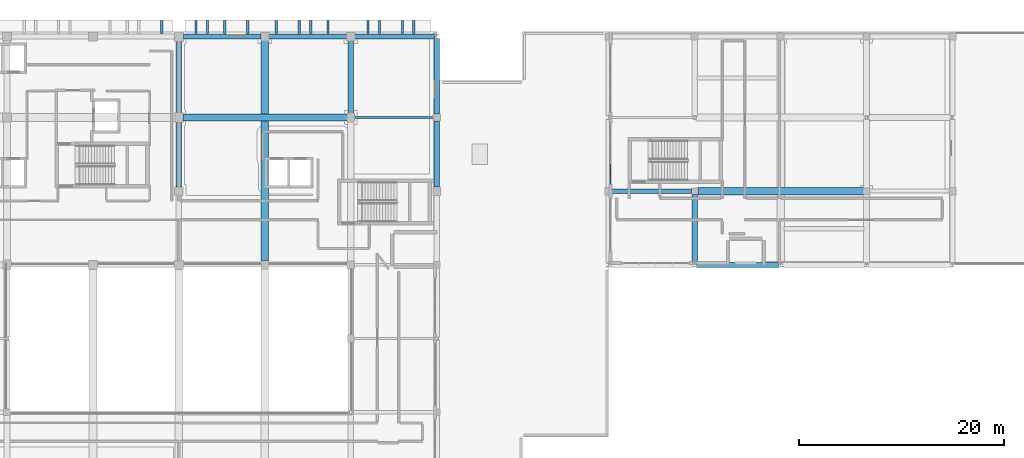
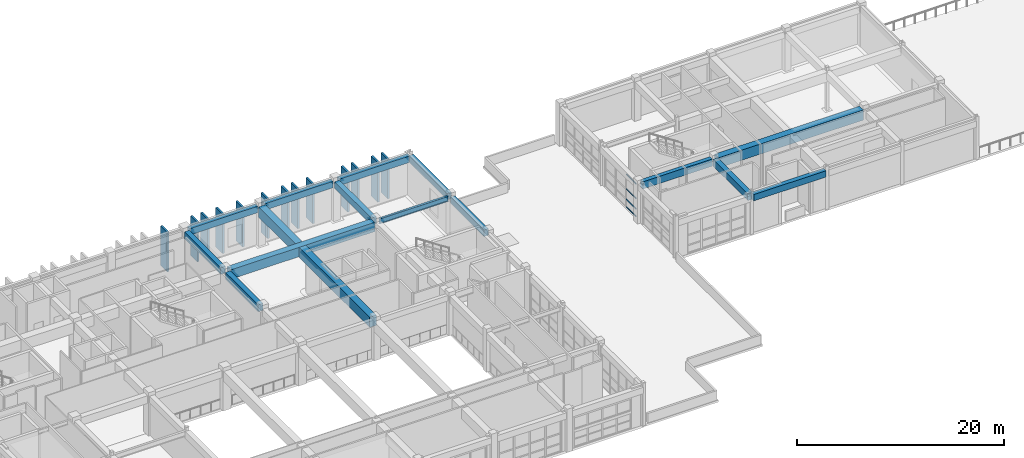
# One storey, part 45 of 78: 17 members, 15 beams, 1 element without a shape of its own.
"""IFC4 building model written with IfcOpenShell, lengths in metres."""

from ifc_helpers import new_model, si_unit, direction, frame, origin, origin_2d, place, context, subcontext, project, spatial, rectangle, hollow_rectangle, i_section, extrude, material, layer, layer_set, material_profile, profile_set, type_object, element, aggregate, save


model = new_model("IFC4")

# Units and contexts
model_context = context("Model", 3, precision=1e-05, world=origin(), true_north=direction((0.0, 1.0)))
body_context = subcontext(model_context, "Body", "Model", "MODEL_VIEW")
ifc_project = project(units=[si_unit("LENGTHUNIT", "METRE"), si_unit("AREAUNIT", "SQUARE_METRE"), si_unit("VOLUMEUNIT", "CUBIC_METRE"), si_unit("PLANEANGLEUNIT", "RADIAN"), si_unit("MASSUNIT", "GRAM", prefix="KILO")], contexts=[model_context])

# Site, building, storey
site_placement = place(None, origin())
site = spatial("IfcSite", under=ifc_project, at=site_placement, CompositionType="ELEMENT")
building_placement = place(site_placement, origin())
building = spatial("IfcBuilding", under=site, at=building_placement, Name="Quendrovan Civic Courthouse", CompositionType="ELEMENT")
storey_placement = place(building_placement, frame((0.0, 0.0, 10.199951171875)))
storey = spatial("IfcBuildingStorey", under=building, at=storey_placement, Name="L03", CompositionType="ELEMENT", Elevation=10.199951171875)

# Beams
ifc_material_1 = material(Name="Post-tensioned concrete C50/60", Category="concrete")
ifc_material_profile_1 = material_profile(ifc_material_1, rectangle(XDim=0.699951171875, YDim=1.10009765625, at=origin_2d()), Name="PT-GIRD-700x1100")
ifc_profile_set_1 = profile_set([ifc_material_profile_1], Name="Post-tensioned concrete C50/60")
beam_type_1 = type_object("IfcBeamType", Name="BM-PT1100", PredefinedType="BEAM", material=ifc_profile_set_1)
beam_1_placement = place(storey_placement, frame((67.580078125, 102.0, 4.110107421875), z_axis=(1.0, 0.0, 0.0), x_axis=(0.0, 1.0, 0.0)))
element("IfcBeam", 1, at=beam_1_placement, inside=storey, type_object=beam_type_1, Name="L03 Girder X0777", PredefinedType="BEAM", context=body_context, shape_type="SweptSolid", body=[
    extrude(rectangle(XDim=0.699951171875, YDim=1.10009765625, at=origin_2d()), origin(), (0.0, 0.0, 1.0), 16.08984375),
])
ifc_material_profile_2 = material_profile(ifc_material_1, rectangle(XDim=0.75, YDim=1.199951171875, at=origin_2d()), Name="PT-GIRD-750x1200")
ifc_profile_set_2 = profile_set([ifc_material_profile_2], Name="Post-tensioned concrete C50/60")
beam_type_2 = type_object("IfcBeamType", Name="BM-PT1200", PredefinedType="BEAM", material=ifc_profile_set_2)
beam_2_placement = place(storey_placement, frame((117.905029296875, 94.800048828125, 4.06005859375), z_axis=(1.0, 0.0, 0.0), x_axis=(0.0, 1.0, 0.0)))
element("IfcBeam", 2, at=beam_2_placement, inside=storey, type_object=beam_type_2, Name="L03 Girder X0773", PredefinedType="BEAM", context=body_context, shape_type="SweptSolid", body=[
    extrude(rectangle(XDim=0.75, YDim=1.199951171875, at=origin_2d()), origin(), (0.0, 0.0, 1.0), 16.18994140625),
])
beam_3_placement = place(storey_placement, frame((75.60009765625, 88.0048828125, 4.06005859375), z_axis=(0.0, 1.0, 0.0), x_axis=(-1.0, 0.0, 0.0)))
element("IfcBeam", 3, at=beam_3_placement, inside=storey, type_object=beam_type_2, Name="L03 Girder Y0849", PredefinedType="BEAM", context=body_context, shape_type="SweptSolid", body=[
    extrude(rectangle(XDim=0.75, YDim=1.199951171875, at=origin_2d()), origin(), (0.0, 0.0, 1.0), 21.51513671875),
])
ifc_material_2 = material(Name="Concrete C40/50", Category="concrete")
ifc_material_profile_3 = material_profile(ifc_material_2, rectangle(XDim=0.5, YDim=0.75, at=origin_2d()), Name="RC-BM-500x750")
ifc_profile_set_3 = profile_set([ifc_material_profile_3], Name="Concrete C40/50")
beam_type_3 = type_object("IfcBeamType", Name="BM-RC750", PredefinedType="SPANDREL", material=ifc_profile_set_3)
beam_4_placement = place(storey_placement, frame((117.76708984375, 87.60009765625, 4.28515625), z_axis=(1.0, 0.0, 0.0), x_axis=(0.0, 1.0, 0.0)))
element("IfcBeam", 4, at=beam_4_placement, inside=storey, type_object=beam_type_3, Name="L03 Girder X0768", PredefinedType="SPANDREL", context=body_context, shape_type="SweptSolid", body=[
    extrude(rectangle(XDim=0.5, YDim=0.75, at=origin_2d()), origin(), (0.0, 0.0, 1.0), 8.06591796875),
])
beam_5_placement = place(storey_placement, frame((67.6298828125, 109.89990234375, 4.28515625), z_axis=(1.0, 0.0, 0.0), x_axis=(0.0, 1.0, 0.0)))
element("IfcBeam", 5, at=beam_5_placement, inside=storey, type_object=beam_type_3, Name="L03 Girder X0786", PredefinedType="SPANDREL", context=body_context, shape_type="SweptSolid", body=[
    extrude(rectangle(XDim=0.5, YDim=0.75, at=origin_2d()), origin(), (0.0, 0.0, 1.0), 7.590087890625),
])
beam_6_placement = place(storey_placement, frame((75.97998046875, 109.89990234375, 4.28515625), z_axis=(1.0, 0.0, 0.0), x_axis=(0.0, 1.0, 0.0)))
element("IfcBeam", 6, at=beam_6_placement, inside=storey, type_object=beam_type_3, Name="L03 Girder X0787", PredefinedType="SPANDREL", context=body_context, shape_type="SweptSolid", body=[
    extrude(rectangle(XDim=0.5, YDim=0.75, at=origin_2d()), origin(), (0.0, 0.0, 1.0), 7.64013671875),
])
beam_7_placement = place(storey_placement, frame((84.3798828125, 109.89990234375, 4.28515625), z_axis=(1.0, 0.0, 0.0), x_axis=(0.0, 1.0, 0.0)))
element("IfcBeam", 7, at=beam_7_placement, inside=storey, type_object=beam_type_3, Name="L03 Girder X0788", PredefinedType="SPANDREL", context=body_context, shape_type="SweptSolid", body=[
    extrude(rectangle(XDim=0.5, YDim=0.75, at=origin_2d()), origin(), (0.0, 0.0, 1.0), 7.85302734375),
])
beam_8_placement = place(storey_placement, frame((92.39990234375, 95.205078125, 4.28515625), z_axis=(0.0, 1.0, 0.0), x_axis=(-1.0, 0.0, 0.0)))
element("IfcBeam", 8, at=beam_8_placement, inside=storey, type_object=beam_type_3, Name="L03 Girder Y0859", PredefinedType="SPANDREL", context=body_context, shape_type="SweptSolid", body=[
    extrude(rectangle(XDim=0.5, YDim=0.75, at=origin_2d()), origin(), (0.0, 0.0, 1.0), 6.46484375),
])
beam_9_placement = place(storey_placement, frame((92.39990234375, 102.330078125, 4.28515625), z_axis=(0.0, 1.0, 0.0), x_axis=(-1.0, 0.0, 0.0)))
element("IfcBeam", 9, at=beam_9_placement, inside=storey, type_object=beam_type_3, Name="L03 Girder Y0860", PredefinedType="SPANDREL", context=body_context, shape_type="SweptSolid", body=[
    extrude(rectangle(XDim=0.5, YDim=0.75, at=origin_2d()), origin(), (0.0, 0.0, 1.0), 7.40380859375),
])
ifc_material_profile_4 = material_profile(ifc_material_2, rectangle(XDim=0.550048828125, YDim=0.800048828125, at=origin_2d()), Name="RC-BM-550x800")
ifc_profile_set_4 = profile_set([ifc_material_profile_4], Name="Concrete C40/50")
beam_type_4 = type_object("IfcBeamType", Name="BM-RC800", PredefinedType="BEAM", material=ifc_profile_set_4)
beam_10_placement = place(storey_placement, frame((67.199951171875, 95.205078125, 4.260009765625), z_axis=(0.0, 1.0, 0.0), x_axis=(-1.0, 0.0, 0.0)))
element("IfcBeam", 10, at=beam_10_placement, inside=storey, type_object=beam_type_4, Name="L03 Girder Y0846", PredefinedType="BEAM", context=body_context, shape_type="SweptSolid", body=[
    extrude(rectangle(XDim=0.550048828125, YDim=0.800048828125, at=origin_2d()), origin(), (0.0, 0.0, 1.0), 6.33984375),
])
beam_11_placement = place(storey_placement, frame((67.199951171875, 102.455078125, 4.260009765625), z_axis=(0.0, 1.0, 0.0), x_axis=(-1.0, 0.0, 0.0)))
element("IfcBeam", 11, at=beam_11_placement, inside=storey, type_object=beam_type_4, Name="L03 Girder Y0847", PredefinedType="BEAM", context=body_context, shape_type="SweptSolid", body=[
    extrude(rectangle(XDim=0.550048828125, YDim=0.800048828125, at=origin_2d()), origin(), (0.0, 0.0, 1.0), 7.014892578125),
])
beam_12_placement = place(storey_placement, frame((84.0, 102.405029296875, 4.260009765625), z_axis=(0.0, 1.0, 0.0), x_axis=(-1.0, 0.0, 0.0)))
element("IfcBeam", 12, at=beam_12_placement, inside=storey, type_object=beam_type_4, Name="L03 Girder Y0854", PredefinedType="BEAM", context=body_context, shape_type="SweptSolid", body=[
    extrude(rectangle(XDim=0.550048828125, YDim=0.800048828125, at=origin_2d()), origin(), (0.0, 0.0, 1.0), 7.114990234375),
])
beam_13_placement = place(storey_placement, frame((117.60009765625, 87.76611328125, 4.260009765625), z_axis=(0.0, 1.0, 0.0), x_axis=(-1.0, 0.0, 0.0)))
element("IfcBeam", 13, at=beam_13_placement, inside=storey, type_object=beam_type_4, Name="L03 Girder Y0864", PredefinedType="BEAM", context=body_context, shape_type="SweptSolid", body=[
    extrude(rectangle(XDim=0.550048828125, YDim=0.800048828125, at=origin_2d()), origin(), (0.0, 0.0, 1.0), 6.72900390625),
])
ifc_material_3 = material(Name="Concrete C45/55", Category="concrete")
ifc_material_profile_5 = material_profile(ifc_material_3, rectangle(XDim=0.449951171875, YDim=0.85009765625, at=origin_2d()), Name="RC-BM-450x850")
ifc_profile_set_5 = profile_set([ifc_material_profile_5], Name="Concrete C45/55")
beam_type_5 = type_object("IfcBeamType", Name="BM-RC850", PredefinedType="BEAM", material=ifc_profile_set_5)
beam_14_placement = place(storey_placement, frame((109.530029296875, 94.800048828125, 4.235107421875), z_axis=(1.0, 0.0, 0.0), x_axis=(0.0, 1.0, 0.0)))
element("IfcBeam", 14, at=beam_14_placement, inside=storey, type_object=beam_type_5, Name="L03 Girder X0772", PredefinedType="BEAM", context=body_context, shape_type="SweptSolid", body=[
    extrude(rectangle(XDim=0.449951171875, YDim=0.85009765625, at=origin_2d()), origin(), (0.0, 0.0, 1.0), 7.764892578125),
])
ifc_material_4 = material(Name="Steel ASTM A992 Grade 50", Category="steel")
ifc_material_profile_6 = material_profile(ifc_material_4, i_section(OverallWidth=0.22802734375, OverallDepth=0.60693359375, WebThickness=0.01123046875, FlangeThickness=0.017333984375, at=origin_2d()), Name="W24X76")
ifc_profile_set_6 = profile_set([ifc_material_profile_6], Name="Steel ASTM A992 Grade 50")
beam_type_6 = type_object("IfcBeamType", Name="BM-STL-W24", PredefinedType="BEAM", material=ifc_profile_set_6)
beam_15_placement = place(storey_placement, frame((84.330078125, 102.0, 4.3564453125), z_axis=(1.0, 0.0, 0.0), x_axis=(0.0, 1.0, 0.0)))
element("IfcBeam", 15, at=beam_15_placement, inside=storey, type_object=beam_type_6, Name="L03 Girder X0778", PredefinedType="BEAM", context=body_context, shape_type="SweptSolid", body=[
    extrude(i_section(OverallWidth=0.22802734375, OverallDepth=0.60693359375, WebThickness=0.01123046875, FlangeThickness=0.017333984375, at=origin_2d()), origin(), (0.0, 0.0, 1.0), 7.739990234375),
])

# Curtain wall, members
ifc_material_5 = material(Name="Bronze anodised aluminium and low-E glass", Category="aluminium")
ifc_layer = layer(ifc_material_5, 0.179931640625, Name="Bronze anodised aluminium and low-E glass")
ifc_layer_set = layer_set([ifc_layer], Name="Bronze anodised aluminium and low-E glass")
curtain_wall_type = type_object("IfcCurtainWallType", Name="CW-U60x39", PredefinedType="USERDEFINED", material=ifc_layer_set)
curtain_wall_placement = place(storey_placement, origin())
curtain_wall = element("IfcCurtainWall", 16, at=curtain_wall_placement, inside=storey, type_object=curtain_wall_type, Name="L03 Unitised Hurricane Curtain Wall CW-142", ObjectType="UNITISED CURTAIN WALL", PredefinedType="USERDEFINED")
ifc_material_6 = material(Name="Bronze anodised aluminium", Category="aluminium")
ifc_material_profile_7 = material_profile(ifc_material_6, hollow_rectangle(XDim=0.070068359375, YDim=0.139892578125, WallThickness=0.00390625, at=origin_2d()), Name="CW-TRAN-70x140")
ifc_profile_set_7 = profile_set([ifc_material_profile_7], Name="Bronze anodised aluminium")
member_type_1 = type_object("IfcMemberType", Name="CW-TRAN-A", PredefinedType="USERDEFINED", material=ifc_profile_set_7)
member_1_placement = place(storey_placement, frame((109.364990234375, 95.570068359375, 0.03515625), z_axis=(0.0, 1.0, 0.0), x_axis=(-1.0, 0.0, 0.0)))
member_1 = element("IfcMember", 17, at=member_1_placement, type_object=member_type_1, Name="CW-142 transom 1.1", ObjectType="TRANSOM", PredefinedType="USERDEFINED", context=body_context, shape_type="SweptSolid", body=[
    extrude(hollow_rectangle(XDim=0.070068359375, YDim=0.139892578125, WallThickness=0.00390625, at=origin_2d()), origin(), (0.0, 0.0, 1.0), 1.882568359375),
])
member_2_placement = place(storey_placement, frame((109.364990234375, 95.570068359375, 0.949951171875), z_axis=(0.0, 1.0, 0.0), x_axis=(-1.0, 0.0, 0.0)))
member_2 = element("IfcMember", 18, at=member_2_placement, type_object=member_type_1, Name="CW-142 transom 1.2", ObjectType="TRANSOM", PredefinedType="USERDEFINED", context=body_context, shape_type="SweptSolid", body=[
    extrude(hollow_rectangle(XDim=0.070068359375, YDim=0.139892578125, WallThickness=0.00390625, at=origin_2d()), origin(), (0.0, 0.0, 1.0), 1.882568359375),
])
member_3_placement = place(storey_placement, frame((109.364990234375, 95.570068359375, 2.150146484375), z_axis=(0.0, 1.0, 0.0), x_axis=(-1.0, 0.0, 0.0)))
member_3 = element("IfcMember", 19, at=member_3_placement, type_object=member_type_1, Name="CW-142 transom 1.3", ObjectType="TRANSOM", PredefinedType="USERDEFINED", context=body_context, shape_type="SweptSolid", body=[
    extrude(hollow_rectangle(XDim=0.070068359375, YDim=0.139892578125, WallThickness=0.00390625, at=origin_2d()), origin(), (0.0, 0.0, 1.0), 1.882568359375),
])
member_4_placement = place(storey_placement, frame((109.364990234375, 95.570068359375, 3.864990234375), z_axis=(0.0, 1.0, 0.0), x_axis=(-1.0, 0.0, 0.0)))
member_4 = element("IfcMember", 20, at=member_4_placement, type_object=member_type_1, Name="CW-142 transom 1.4", ObjectType="TRANSOM", PredefinedType="USERDEFINED", context=body_context, shape_type="SweptSolid", body=[
    extrude(hollow_rectangle(XDim=0.070068359375, YDim=0.139892578125, WallThickness=0.00390625, at=origin_2d()), origin(), (0.0, 0.0, 1.0), 1.882568359375),
])
aggregate(curtain_wall, [member_1, member_2, member_3, member_4])

# Members
ifc_material_7 = material(Name="Precast concrete C45/55", Category="concrete")
ifc_material_profile_8 = material_profile(ifc_material_7, rectangle(XDim=0.219970703125, YDim=1.280029296875, at=origin_2d()), Name="PC-FIN-220x1280")
ifc_profile_set_8 = profile_set([ifc_material_profile_8], Name="Precast concrete C45/55")
member_type_2 = type_object("IfcMemberType", Name="MEM-PC-FIN1280", PredefinedType="USERDEFINED", material=ifc_profile_set_8)
for number, where, z_axis, x_axis, name in (
    (21, (65.52001953125, 110.83203125, 0.0), (0.0, 0.0, 1.0), (1.0, 0.0, 0.0), "L03 Precast Concrete Facade Fin 0015"),
    (22, (68.8798828125, 110.83203125, 0.0), (0.0, 0.0, 1.0), (1.0, 0.0, 0.0), "L03 Precast Concrete Facade Fin 0016"),
    (23, (70.0, 110.83203125, 0.0), (0.0, 0.0, 1.0), (1.0, 0.0, 0.0), "L03 Precast Concrete Facade Fin 0017"),
    (24, (71.679931640625, 110.83203125, 0.0), (0.0, 0.0, 1.0), (1.0, 0.0, 0.0), "L03 Precast Concrete Facade Fin 0018"),
    (25, (73.919921875, 110.83203125, 0.0), (0.0, 0.0, 1.0), (1.0, 0.0, 0.0), "L03 Precast Concrete Facade Fin 0019"),
    (26, (76.719970703125, 110.83203125, 0.0), (0.0, 0.0, 1.0), (1.0, 0.0, 0.0), "L03 Precast Concrete Facade Fin 0020"),
    (27, (78.9599609375, 110.83203125, 0.0), (0.0, 0.0, 1.0), (1.0, 0.0, 0.0), "L03 Precast Concrete Facade Fin 0021"),
    (28, (80.080078125, 110.83203125, 0.0), (0.0, 0.0, 1.0), (1.0, 0.0, 0.0), "L03 Precast Concrete Facade Fin 0022"),
    (29, (81.760009765625, 110.83203125, 0.0), (0.0, 0.0, 1.0), (1.0, 0.0, 0.0), "L03 Precast Concrete Facade Fin 0023"),
    (30, (85.679931640625, 110.83203125, 0.0), (0.0, 0.0, 1.0), (1.0, 0.0, 0.0), "L03 Precast Concrete Facade Fin 0024"),
    (31, (86.800048828125, 110.83203125, 0.0), (0.0, 0.0, 1.0), (1.0, 0.0, 0.0), "L03 Precast Concrete Facade Fin 0025"),
    (32, (89.0400390625, 110.83203125, 0.0), (0.0, 0.0, 1.0), (1.0, 0.0, 0.0), "L03 Precast Concrete Facade Fin 0026"),
    (33, (90.159912109375, 110.83203125, 0.0), (0.0, 0.0, 1.0), (1.0, 0.0, 0.0), "L03 Precast Concrete Facade Fin 0027"),
):
    element("IfcMember", number, at=place(storey_placement, frame(where, z_axis=z_axis, x_axis=x_axis)), inside=storey, type_object=member_type_2, Name=name, ObjectType="PRECAST FACADE FIN", PredefinedType="USERDEFINED", context=body_context, shape_type="SweptSolid", body=[
        extrude(rectangle(XDim=0.219970703125, YDim=1.280029296875, at=origin_2d()), origin(), (0.0, 0.0, 1.0), 4.679931640625),
    ])

save(model, "model.ifc")
